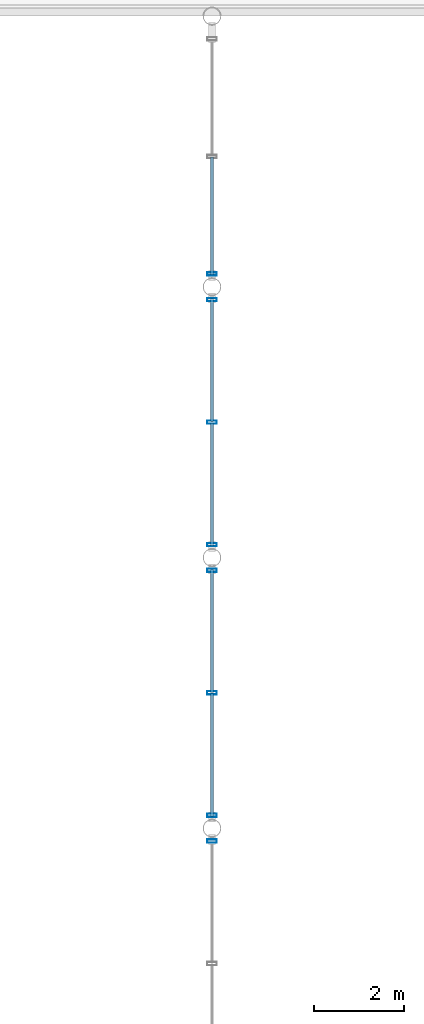
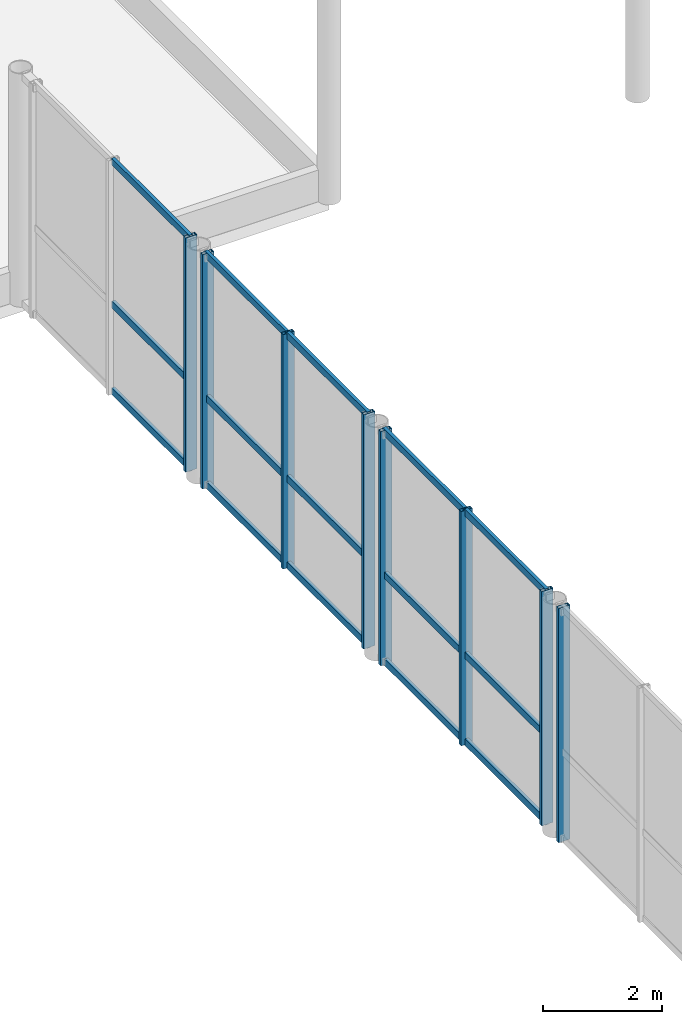
# One storey, part 49 of 123: 23 members, 4 elements without a shape of their own.
"""IFC4 building model written with IfcOpenShell, lengths in metres."""

from ifc_helpers import new_model, si_unit, direction, frame, origin, origin_2d, place, context, subcontext, project, spatial, hollow_rectangle, extrude, material, material_profile, profile_set, type_object, element, aggregate, save


model = new_model("IFC4")

# Units and contexts
model_context = context("Model", 3, precision=1e-05, world=origin(), true_north=direction((0.0, 1.0)))
body_context = subcontext(model_context, "Body", "Model", "MODEL_VIEW")
ifc_project = project(units=[si_unit("LENGTHUNIT", "METRE"), si_unit("AREAUNIT", "SQUARE_METRE"), si_unit("VOLUMEUNIT", "CUBIC_METRE"), si_unit("PLANEANGLEUNIT", "RADIAN"), si_unit("MASSUNIT", "GRAM", prefix="KILO"), si_unit("THERMODYNAMICTEMPERATUREUNIT", "KELVIN"), si_unit("POWERUNIT", "WATT")], contexts=[model_context])

# Site, building, storey
site_placement = place(None, origin())
site = spatial("IfcSite", under=ifc_project, at=site_placement, CompositionType="ELEMENT")
building_placement = place(site_placement, origin())
building = spatial("IfcBuilding", under=site, at=building_placement, Name="Phaisarnlok Congress Hotel", CompositionType="ELEMENT")
storey_placement = place(building_placement, frame((0.0, 0.0, 15.0)))
storey = spatial("IfcBuildingStorey", under=building, at=storey_placement, Name="L03", CompositionType="ELEMENT", Elevation=15.0)

# Curtain wall, member
ifc_material_1 = material(Name="Thermally Broken Unitised Aluminium & Low-E Glazing", Category="aluminium")
curtain_wall_type_1 = type_object("IfcCurtainWallType", Name="CW-UNIT-47", PredefinedType="NOTDEFINED", material=ifc_material_1)
curtain_wall_1_placement = place(storey_placement, origin())
curtain_wall_1 = element("IfcCurtainWall", 1, at=curtain_wall_1_placement, inside=storey, type_object=curtain_wall_type_1, Name="Unitised curtain wall CW-47 (L03)", PredefinedType="NOTDEFINED")
ifc_material_2 = material(Name="Anodised Aluminium Alloy 6063-T6", Category="aluminium")
ifc_material_profile_1 = material_profile(ifc_material_2, hollow_rectangle(XDim=0.074951171875, YDim=0.219970703125, WallThickness=0.0048828125, at=origin_2d()), Name="ALU-M 75x220x5")
ifc_profile_set_1 = profile_set([ifc_material_profile_1], Name="Anodised Aluminium Alloy 6063-T6")
member_type_1 = type_object("IfcMemberType", Name="CWM-220", PredefinedType="MULLION", material=ifc_profile_set_1)
member_1_placement = place(storey_placement, frame((120.0, 65.715087890625, -0.010009765625), z_axis=(0.0, 0.0, 1.0), x_axis=(0.0, -1.0, 0.0)))
member_1 = element("IfcMember", 2, at=member_1_placement, type_object=member_type_1, Name="Curtain wall mullion CWM-02", PredefinedType="MULLION", context=body_context, shape_type="SweptSolid", body=[
    extrude(hollow_rectangle(XDim=0.074951171875, YDim=0.219970703125, WallThickness=0.0048828125, at=origin_2d()), origin(), (0.0, 0.0, 1.0), 4.820068359375),
])
aggregate(curtain_wall_1, [member_1])

# Curtain wall, members
curtain_wall_2_placement = place(storey_placement, origin())
curtain_wall_2 = element("IfcCurtainWall", 3, at=curtain_wall_2_placement, inside=storey, type_object=curtain_wall_type_1, Name="Unitised curtain wall CW-47 (L03)", PredefinedType="NOTDEFINED")
member_2_placement = place(storey_placement, frame((120.0, 71.715087890625, -0.010009765625), z_axis=(0.0, 0.0, 1.0), x_axis=(0.0, -1.0, 0.0)))
member_2 = element("IfcMember", 4, at=member_2_placement, type_object=member_type_1, Name="Curtain wall mullion CWM-02", PredefinedType="MULLION", context=body_context, shape_type="SweptSolid", body=[
    extrude(hollow_rectangle(XDim=0.074951171875, YDim=0.219970703125, WallThickness=0.0048828125, at=origin_2d()), origin(), (0.0, 0.0, 1.0), 4.820068359375),
])
member_3_placement = place(storey_placement, frame((120.0, 69.0, -0.010009765625), z_axis=(0.0, 0.0, 1.0), x_axis=(0.0, -1.0, 0.0)))
member_3 = element("IfcMember", 5, at=member_3_placement, type_object=member_type_1, Name="Curtain wall mullion CWM-02", PredefinedType="MULLION", context=body_context, shape_type="SweptSolid", body=[
    extrude(hollow_rectangle(XDim=0.074951171875, YDim=0.219970703125, WallThickness=0.0048828125, at=origin_2d()), origin(), (0.0, 0.0, 1.0), 4.820068359375),
])
member_4_placement = place(storey_placement, frame((120.0, 66.284912109375, -0.010009765625), z_axis=(0.0, 0.0, 1.0), x_axis=(0.0, -1.0, 0.0)))
member_4 = element("IfcMember", 6, at=member_4_placement, type_object=member_type_1, Name="Curtain wall mullion CWM-02", PredefinedType="MULLION", context=body_context, shape_type="SweptSolid", body=[
    extrude(hollow_rectangle(XDim=0.074951171875, YDim=0.219970703125, WallThickness=0.0048828125, at=origin_2d()), origin(), (0.0, 0.0, 1.0), 4.820068359375),
])

curtain_wall_3_placement = place(storey_placement, origin())
curtain_wall_3 = element("IfcCurtainWall", 7, at=curtain_wall_3_placement, inside=storey, type_object=curtain_wall_type_1, Name="Unitised curtain wall CW-47 (L03)", PredefinedType="NOTDEFINED")
member_5_placement = place(storey_placement, frame((120.0, 77.715087890625, -0.010009765625), z_axis=(0.0, 0.0, 1.0), x_axis=(0.0, -1.0, 0.0)))
member_5 = element("IfcMember", 8, at=member_5_placement, type_object=member_type_1, Name="Curtain wall mullion CWM-02", PredefinedType="MULLION", context=body_context, shape_type="SweptSolid", body=[
    extrude(hollow_rectangle(XDim=0.074951171875, YDim=0.219970703125, WallThickness=0.0048828125, at=origin_2d()), origin(), (0.0, 0.0, 1.0), 4.820068359375),
])
member_6_placement = place(storey_placement, frame((120.0, 75.0, -0.010009765625), z_axis=(0.0, 0.0, 1.0), x_axis=(0.0, -1.0, 0.0)))
member_6 = element("IfcMember", 9, at=member_6_placement, type_object=member_type_1, Name="Curtain wall mullion CWM-02", PredefinedType="MULLION", context=body_context, shape_type="SweptSolid", body=[
    extrude(hollow_rectangle(XDim=0.074951171875, YDim=0.219970703125, WallThickness=0.0048828125, at=origin_2d()), origin(), (0.0, 0.0, 1.0), 4.820068359375),
])
member_7_placement = place(storey_placement, frame((120.0, 72.284912109375, -0.010009765625), z_axis=(0.0, 0.0, 1.0), x_axis=(0.0, -1.0, 0.0)))
member_7 = element("IfcMember", 10, at=member_7_placement, type_object=member_type_1, Name="Curtain wall mullion CWM-02", PredefinedType="MULLION", context=body_context, shape_type="SweptSolid", body=[
    extrude(hollow_rectangle(XDim=0.074951171875, YDim=0.219970703125, WallThickness=0.0048828125, at=origin_2d()), origin(), (0.0, 0.0, 1.0), 4.820068359375),
])

# Curtain wall, member
curtain_wall_type_2 = type_object("IfcCurtainWallType", Name="CW-UNIT-46", PredefinedType="NOTDEFINED", material=ifc_material_1)
curtain_wall_4_placement = place(storey_placement, origin())
curtain_wall_4 = element("IfcCurtainWall", 11, at=curtain_wall_4_placement, inside=storey, type_object=curtain_wall_type_2, Name="Unitised curtain wall CW-46 (L03)", PredefinedType="NOTDEFINED")
member_8_placement = place(storey_placement, frame((120.0, 78.284912109375, -0.010009765625), z_axis=(0.0, 0.0, 1.0), x_axis=(0.0, -1.0, 0.0)))
member_8 = element("IfcMember", 12, at=member_8_placement, type_object=member_type_1, Name="Curtain wall mullion CWM-02", PredefinedType="MULLION", context=body_context, shape_type="SweptSolid", body=[
    extrude(hollow_rectangle(XDim=0.074951171875, YDim=0.219970703125, WallThickness=0.0048828125, at=origin_2d()), origin(), (0.0, 0.0, 1.0), 4.820068359375),
])

# Member
ifc_material_profile_2 = material_profile(ifc_material_2, hollow_rectangle(XDim=0.06494140625, YDim=0.139892578125, WallThickness=0.00390625, at=origin_2d()), Name="ALU-T 65x140x4")
ifc_profile_set_2 = profile_set([ifc_material_profile_2], Name="Anodised Aluminium Alloy 6063-T6")
member_type_2 = type_object("IfcMemberType", Name="CWT-150", PredefinedType="USERDEFINED", material=ifc_profile_set_2)
member_9_placement = place(storey_placement, frame((120.0, 71.739990234375, 0.0400390625), z_axis=(0.0, -1.0, 0.0), x_axis=(1.0, 0.0, 0.0)))
member_9 = element("IfcMember", 13, at=member_9_placement, type_object=member_type_2, Name="Curtain wall transom CWT-01", ObjectType="TRANSOM", PredefinedType="USERDEFINED", context=body_context, shape_type="SweptSolid", body=[
    extrude(hollow_rectangle(XDim=0.06494140625, YDim=0.139892578125, WallThickness=0.00390625, at=origin_2d()), origin(), (0.0, 0.0, 1.0), 2.72509765625),
])

member_10_placement = place(storey_placement, frame((120.0, 71.739990234375, 1.821533203125), z_axis=(0.0, -1.0, 0.0), x_axis=(1.0, 0.0, 0.0)))
member_10 = element("IfcMember", 14, at=member_10_placement, type_object=member_type_2, Name="Curtain wall transom CWT-01", ObjectType="TRANSOM", PredefinedType="USERDEFINED", context=body_context, shape_type="SweptSolid", body=[
    extrude(hollow_rectangle(XDim=0.06494140625, YDim=0.139892578125, WallThickness=0.00390625, at=origin_2d()), origin(), (0.0, 0.0, 1.0), 2.72509765625),
])

member_11_placement = place(storey_placement, frame((120.0, 71.739990234375, 4.760009765625), z_axis=(0.0, -1.0, 0.0), x_axis=(1.0, 0.0, 0.0)))
member_11 = element("IfcMember", 15, at=member_11_placement, type_object=member_type_2, Name="Curtain wall transom CWT-01", ObjectType="TRANSOM", PredefinedType="USERDEFINED", context=body_context, shape_type="SweptSolid", body=[
    extrude(hollow_rectangle(XDim=0.06494140625, YDim=0.139892578125, WallThickness=0.00390625, at=origin_2d()), origin(), (0.0, 0.0, 1.0), 2.72509765625),
])

member_12_placement = place(storey_placement, frame((120.0, 68.985107421875, 0.0400390625), z_axis=(0.0, -1.0, 0.0), x_axis=(1.0, 0.0, 0.0)))
member_12 = element("IfcMember", 16, at=member_12_placement, type_object=member_type_2, Name="Curtain wall transom CWT-01", ObjectType="TRANSOM", PredefinedType="USERDEFINED", context=body_context, shape_type="SweptSolid", body=[
    extrude(hollow_rectangle(XDim=0.06494140625, YDim=0.139892578125, WallThickness=0.00390625, at=origin_2d()), origin(), (0.0, 0.0, 1.0), 2.72509765625),
])

member_13_placement = place(storey_placement, frame((120.0, 68.985107421875, 1.821533203125), z_axis=(0.0, -1.0, 0.0), x_axis=(1.0, 0.0, 0.0)))
member_13 = element("IfcMember", 17, at=member_13_placement, type_object=member_type_2, Name="Curtain wall transom CWT-01", ObjectType="TRANSOM", PredefinedType="USERDEFINED", context=body_context, shape_type="SweptSolid", body=[
    extrude(hollow_rectangle(XDim=0.06494140625, YDim=0.139892578125, WallThickness=0.00390625, at=origin_2d()), origin(), (0.0, 0.0, 1.0), 2.72509765625),
])

member_14_placement = place(storey_placement, frame((120.0, 68.985107421875, 4.760009765625), z_axis=(0.0, -1.0, 0.0), x_axis=(1.0, 0.0, 0.0)))
member_14 = element("IfcMember", 18, at=member_14_placement, type_object=member_type_2, Name="Curtain wall transom CWT-01", ObjectType="TRANSOM", PredefinedType="USERDEFINED", context=body_context, shape_type="SweptSolid", body=[
    extrude(hollow_rectangle(XDim=0.06494140625, YDim=0.139892578125, WallThickness=0.00390625, at=origin_2d()), origin(), (0.0, 0.0, 1.0), 2.72509765625),
])

aggregate(curtain_wall_2, [member_2, member_3, member_4, member_9, member_10, member_11, member_12, member_13, member_14])

member_15_placement = place(storey_placement, frame((120.0, 77.739990234375, 0.0400390625), z_axis=(0.0, -1.0, 0.0), x_axis=(1.0, 0.0, 0.0)))
member_15 = element("IfcMember", 19, at=member_15_placement, type_object=member_type_2, Name="Curtain wall transom CWT-01", ObjectType="TRANSOM", PredefinedType="USERDEFINED", context=body_context, shape_type="SweptSolid", body=[
    extrude(hollow_rectangle(XDim=0.06494140625, YDim=0.139892578125, WallThickness=0.00390625, at=origin_2d()), origin(), (0.0, 0.0, 1.0), 2.72509765625),
])

member_16_placement = place(storey_placement, frame((120.0, 77.739990234375, 1.821533203125), z_axis=(0.0, -1.0, 0.0), x_axis=(1.0, 0.0, 0.0)))
member_16 = element("IfcMember", 20, at=member_16_placement, type_object=member_type_2, Name="Curtain wall transom CWT-01", ObjectType="TRANSOM", PredefinedType="USERDEFINED", context=body_context, shape_type="SweptSolid", body=[
    extrude(hollow_rectangle(XDim=0.06494140625, YDim=0.139892578125, WallThickness=0.00390625, at=origin_2d()), origin(), (0.0, 0.0, 1.0), 2.72509765625),
])

member_17_placement = place(storey_placement, frame((120.0, 77.739990234375, 4.760009765625), z_axis=(0.0, -1.0, 0.0), x_axis=(1.0, 0.0, 0.0)))
member_17 = element("IfcMember", 21, at=member_17_placement, type_object=member_type_2, Name="Curtain wall transom CWT-01", ObjectType="TRANSOM", PredefinedType="USERDEFINED", context=body_context, shape_type="SweptSolid", body=[
    extrude(hollow_rectangle(XDim=0.06494140625, YDim=0.139892578125, WallThickness=0.00390625, at=origin_2d()), origin(), (0.0, 0.0, 1.0), 2.72509765625),
])

member_18_placement = place(storey_placement, frame((120.0, 74.985107421875, 0.0400390625), z_axis=(0.0, -1.0, 0.0), x_axis=(1.0, 0.0, 0.0)))
member_18 = element("IfcMember", 22, at=member_18_placement, type_object=member_type_2, Name="Curtain wall transom CWT-01", ObjectType="TRANSOM", PredefinedType="USERDEFINED", context=body_context, shape_type="SweptSolid", body=[
    extrude(hollow_rectangle(XDim=0.06494140625, YDim=0.139892578125, WallThickness=0.00390625, at=origin_2d()), origin(), (0.0, 0.0, 1.0), 2.72509765625),
])

member_19_placement = place(storey_placement, frame((120.0, 74.985107421875, 1.821533203125), z_axis=(0.0, -1.0, 0.0), x_axis=(1.0, 0.0, 0.0)))
member_19 = element("IfcMember", 23, at=member_19_placement, type_object=member_type_2, Name="Curtain wall transom CWT-01", ObjectType="TRANSOM", PredefinedType="USERDEFINED", context=body_context, shape_type="SweptSolid", body=[
    extrude(hollow_rectangle(XDim=0.06494140625, YDim=0.139892578125, WallThickness=0.00390625, at=origin_2d()), origin(), (0.0, 0.0, 1.0), 2.72509765625),
])

member_20_placement = place(storey_placement, frame((120.0, 74.985107421875, 4.760009765625), z_axis=(0.0, -1.0, 0.0), x_axis=(1.0, 0.0, 0.0)))
member_20 = element("IfcMember", 24, at=member_20_placement, type_object=member_type_2, Name="Curtain wall transom CWT-01", ObjectType="TRANSOM", PredefinedType="USERDEFINED", context=body_context, shape_type="SweptSolid", body=[
    extrude(hollow_rectangle(XDim=0.06494140625, YDim=0.139892578125, WallThickness=0.00390625, at=origin_2d()), origin(), (0.0, 0.0, 1.0), 2.72509765625),
])

aggregate(curtain_wall_3, [member_5, member_6, member_7, member_15, member_16, member_17, member_18, member_19, member_20])

member_21_placement = place(storey_placement, frame((120.0, 80.875, 0.0400390625), z_axis=(0.0, -1.0, 0.0), x_axis=(1.0, 0.0, 0.0)))
member_21 = element("IfcMember", 25, at=member_21_placement, type_object=member_type_2, Name="Curtain wall transom CWT-01", ObjectType="TRANSOM", PredefinedType="USERDEFINED", context=body_context, shape_type="SweptSolid", body=[
    extrude(hollow_rectangle(XDim=0.06494140625, YDim=0.139892578125, WallThickness=0.00390625, at=origin_2d()), origin(), (0.0, 0.0, 1.0), 2.614990234375),
])

member_22_placement = place(storey_placement, frame((120.0, 80.875, 1.821533203125), z_axis=(0.0, -1.0, 0.0), x_axis=(1.0, 0.0, 0.0)))
member_22 = element("IfcMember", 26, at=member_22_placement, type_object=member_type_2, Name="Curtain wall transom CWT-01", ObjectType="TRANSOM", PredefinedType="USERDEFINED", context=body_context, shape_type="SweptSolid", body=[
    extrude(hollow_rectangle(XDim=0.06494140625, YDim=0.139892578125, WallThickness=0.00390625, at=origin_2d()), origin(), (0.0, 0.0, 1.0), 2.614990234375),
])

member_23_placement = place(storey_placement, frame((120.0, 80.875, 4.760009765625), z_axis=(0.0, -1.0, 0.0), x_axis=(1.0, 0.0, 0.0)))
member_23 = element("IfcMember", 27, at=member_23_placement, type_object=member_type_2, Name="Curtain wall transom CWT-01", ObjectType="TRANSOM", PredefinedType="USERDEFINED", context=body_context, shape_type="SweptSolid", body=[
    extrude(hollow_rectangle(XDim=0.06494140625, YDim=0.139892578125, WallThickness=0.00390625, at=origin_2d()), origin(), (0.0, 0.0, 1.0), 2.614990234375),
])

aggregate(curtain_wall_4, [member_8, member_21, member_22, member_23])

save(model, "model.ifc")
